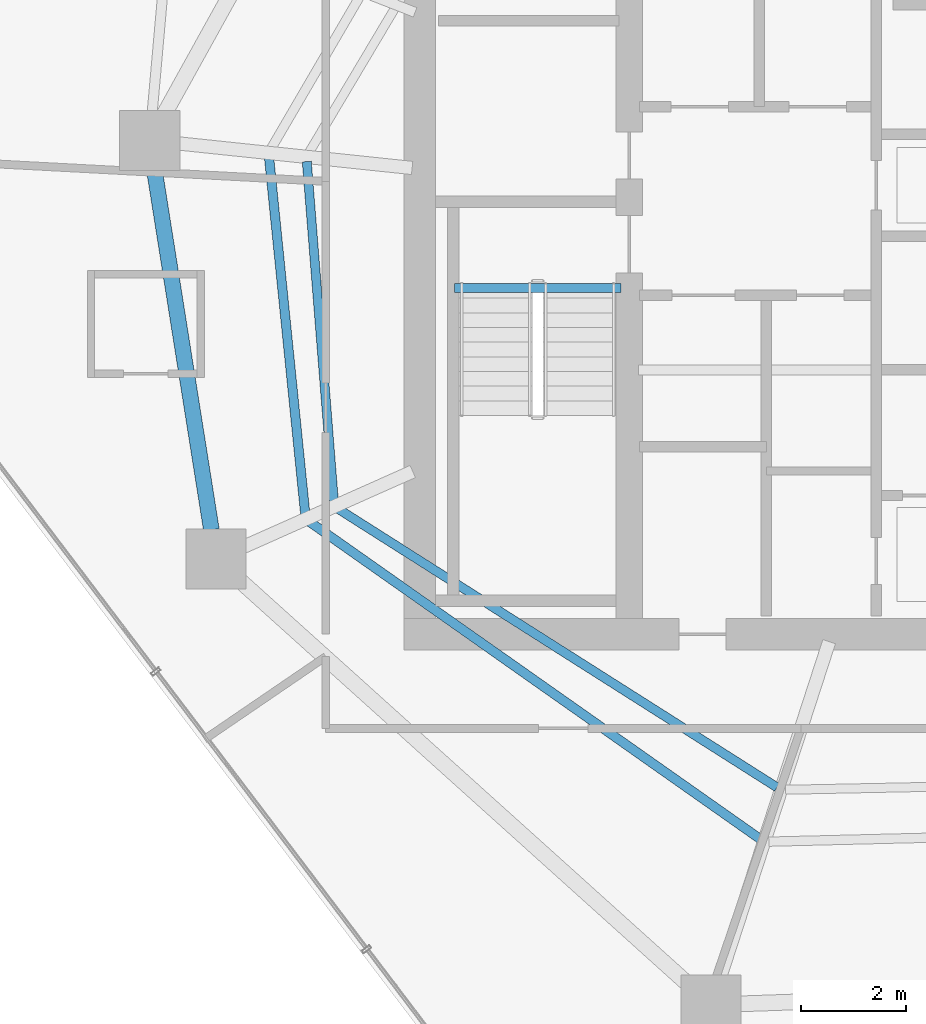
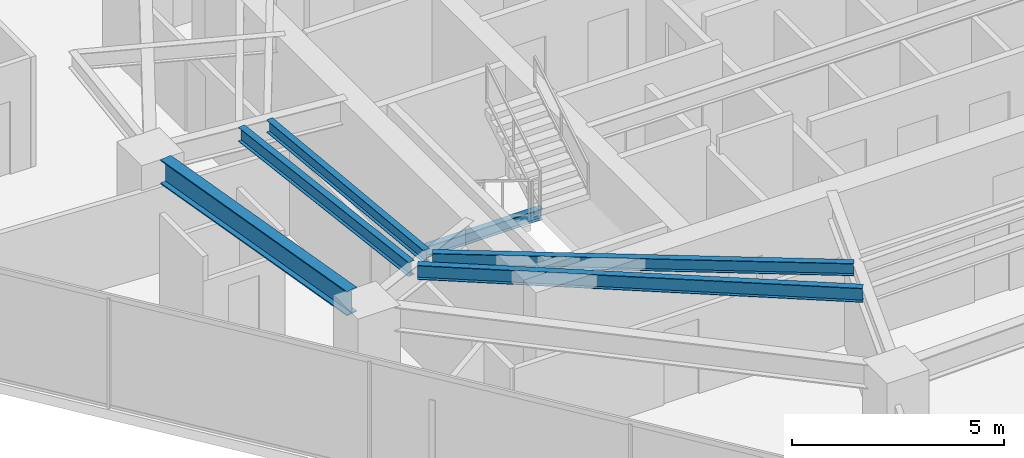
# One storey, part 8 of 30: 6 beams.
"""IFC4 building model written with IfcOpenShell, lengths in metres."""

from ifc_helpers import new_model, si_unit, direction, frame, origin, origin_2d, place, context, subcontext, project, spatial, i_section, extrude, material, material_profile, profile_set, type_object, element, save


model = new_model("IFC4")

# Units and contexts
model_context = context("Model", 3, precision=1e-05, world=origin(), true_north=direction((0.0, 1.0)))
body_context = subcontext(model_context, "Body", "Model", "MODEL_VIEW")
ifc_project = project(units=[si_unit("LENGTHUNIT", "METRE"), si_unit("AREAUNIT", "SQUARE_METRE"), si_unit("VOLUMEUNIT", "CUBIC_METRE"), si_unit("PLANEANGLEUNIT", "RADIAN"), si_unit("MASSUNIT", "GRAM", prefix="KILO")], contexts=[model_context])

# Site, building, storey
site_placement = place(None, origin())
site = spatial("IfcSite", under=ifc_project, at=site_placement, CompositionType="ELEMENT")
building_placement = place(site_placement, origin())
building = spatial("IfcBuilding", under=site, at=building_placement, Name="Qarnah Convention Tower", CompositionType="ELEMENT")
storey_placement = place(building_placement, frame((0.0, 0.0, 93.60009765625)))
storey = spatial("IfcBuildingStorey", under=building, at=storey_placement, Name="L24", CompositionType="ELEMENT", Elevation=93.60009765625)

# Beams
ifc_material = material(Name="Structural steel S355JR", Category="steel")
ifc_material_profile_1 = material_profile(ifc_material, i_section(OverallWidth=0.166015625, OverallDepth=0.31201171875, WebThickness=0.007080078125, FlangeThickness=0.010986328125, at=origin_2d()), Name="W310X45")
ifc_profile_set_1 = profile_set([ifc_material_profile_1], Name="Structural steel S355JR")
beam_type_1 = type_object("IfcBeamType", Name="BM-JST-W310", PredefinedType="JOIST", material=ifc_profile_set_1)
beam_1_placement = place(storey_placement, frame((27.4599609375, 25.217041015625, -0.156005859375), z_axis=(1.0, 0.0, 0.0), x_axis=(0.0, 1.0, 0.0)))
element("IfcBeam", 1, at=beam_1_placement, inside=storey, type_object=beam_type_1, Name="L24 stair landing trimmer beam BM-L24-ST1-TRM", PredefinedType="BEAM", context=body_context, shape_type="SweptSolid", body=[
    extrude(i_section(OverallWidth=0.166015625, OverallDepth=0.31201171875, WebThickness=0.007080078125, FlangeThickness=0.010986328125, at=origin_2d()), origin(), (0.0, 0.0, 1.0), 3.179931640625),
])
ifc_material_profile_2 = material_profile(ifc_material, i_section(OverallWidth=0.172119140625, OverallDepth=0.35595703125, WebThickness=0.007080078125, FlangeThickness=0.011962890625, at=origin_2d()), Name="W360X51")
ifc_profile_set_2 = profile_set([ifc_material_profile_2], Name="Structural steel S355JR")
beam_type_2 = type_object("IfcBeamType", Name="BM-JST-W360", PredefinedType="JOIST", material=ifc_profile_set_2)
beam_2_placement = place(storey_placement, frame((24.637939453125, 27.631103515625, 2.991943359375), z_axis=(0.079450568975, -0.996838806974, 0.0), x_axis=(0.996838806974, 0.079450568975, 0.0)))
element("IfcBeam", 2, at=beam_2_placement, inside=storey, type_object=beam_type_2, Name="L24 joist BM-L24-IJST-05", PredefinedType="JOIST", context=body_context, shape_type="SweptSolid", body=[
    extrude(i_section(OverallWidth=0.172119140625, OverallDepth=0.35595703125, WebThickness=0.007080078125, FlangeThickness=0.011962890625, at=origin_2d()), origin(), (0.0, 0.0, 1.0), 6.5205078125),
])
beam_3_placement = place(storey_placement, frame((25.239013671875, 20.992919921875, 2.991943359375), z_axis=(0.844366426135, -0.53576612287, 0.0), x_axis=(0.53576612287, 0.844366426135, 0.0)))
element("IfcBeam", 3, at=beam_3_placement, inside=storey, type_object=beam_type_2, Name="L24 joist BM-L24-IJST-06", PredefinedType="JOIST", context=body_context, shape_type="SweptSolid", body=[
    extrude(i_section(OverallWidth=0.172119140625, OverallDepth=0.35595703125, WebThickness=0.007080078125, FlangeThickness=0.011962890625, at=origin_2d()), origin(), (0.0, 0.0, 1.0), 9.929443359375),
])
ifc_material_profile_3 = material_profile(ifc_material, i_section(OverallWidth=0.177978515625, OverallDepth=0.407958984375, WebThickness=0.008056640625, FlangeThickness=0.012939453125, at=origin_2d()), Name="W410X60")
ifc_profile_set_3 = profile_set([ifc_material_profile_3], Name="Structural steel S355JR")
beam_type_3 = type_object("IfcBeamType", Name="BM-JST-W410", PredefinedType="JOIST", material=ifc_profile_set_3)
beam_4_placement = place(storey_placement, frame((23.9169921875, 27.70703125, 2.9658203125), z_axis=(0.100946033179, -0.994891902865, 0.0), x_axis=(0.994891902865, 0.100946033179, 0.0)))
element("IfcBeam", 4, at=beam_4_placement, inside=storey, type_object=beam_type_3, Name="L24 joist BM-L24-SJST-05", PredefinedType="JOIST", context=body_context, shape_type="SweptSolid", body=[
    extrude(i_section(OverallWidth=0.177978515625, OverallDepth=0.407958984375, WebThickness=0.008056640625, FlangeThickness=0.012939453125, at=origin_2d()), origin(), (0.0, 0.0, 1.0), 6.85400390625),
])
beam_5_placement = place(storey_placement, frame((24.69189453125, 20.74609375, 2.9658203125), z_axis=(0.817744581848, -0.57558127042, 0.0), x_axis=(0.57558127042, 0.817744581848, 0.0)))
element("IfcBeam", 5, at=beam_5_placement, inside=storey, type_object=beam_type_3, Name="L24 joist BM-L24-SJST-06", PredefinedType="JOIST", context=body_context, shape_type="SweptSolid", body=[
    extrude(i_section(OverallWidth=0.177978515625, OverallDepth=0.407958984375, WebThickness=0.008056640625, FlangeThickness=0.012939453125, at=origin_2d()), origin(), (0.0, 0.0, 1.0), 10.5302734375),
])
ifc_material_profile_4 = material_profile(ifc_material, i_section(OverallWidth=0.300048828125, OverallDepth=0.699951171875, WebThickness=0.01708984375, FlangeThickness=0.031982421875, at=origin_2d()), Name="HEB700")
ifc_profile_set_4 = profile_set([ifc_material_profile_4], Name="Structural steel S355JR")
beam_type_4 = type_object("IfcBeamType", Name="BM-RING-HEB700", PredefinedType="BEAM", material=ifc_profile_set_4)
beam_6_placement = place(storey_placement, frame((21.72412109375, 27.47802734375, 2.81982421875), z_axis=(0.156482310627, -0.987680761411, 0.0), x_axis=(0.987680761411, 0.156482310627, 0.0)))
element("IfcBeam", 6, at=beam_6_placement, inside=storey, type_object=beam_type_4, Name="L24 beam BM-L24-SPN-05", PredefinedType="BEAM", context=body_context, shape_type="SweptSolid", body=[
    extrude(i_section(OverallWidth=0.300048828125, OverallDepth=0.699951171875, WebThickness=0.01708984375, FlangeThickness=0.031982421875, at=origin_2d()), origin(), (0.0, 0.0, 1.0), 6.970947265625),
])

save(model, "model.ifc")
